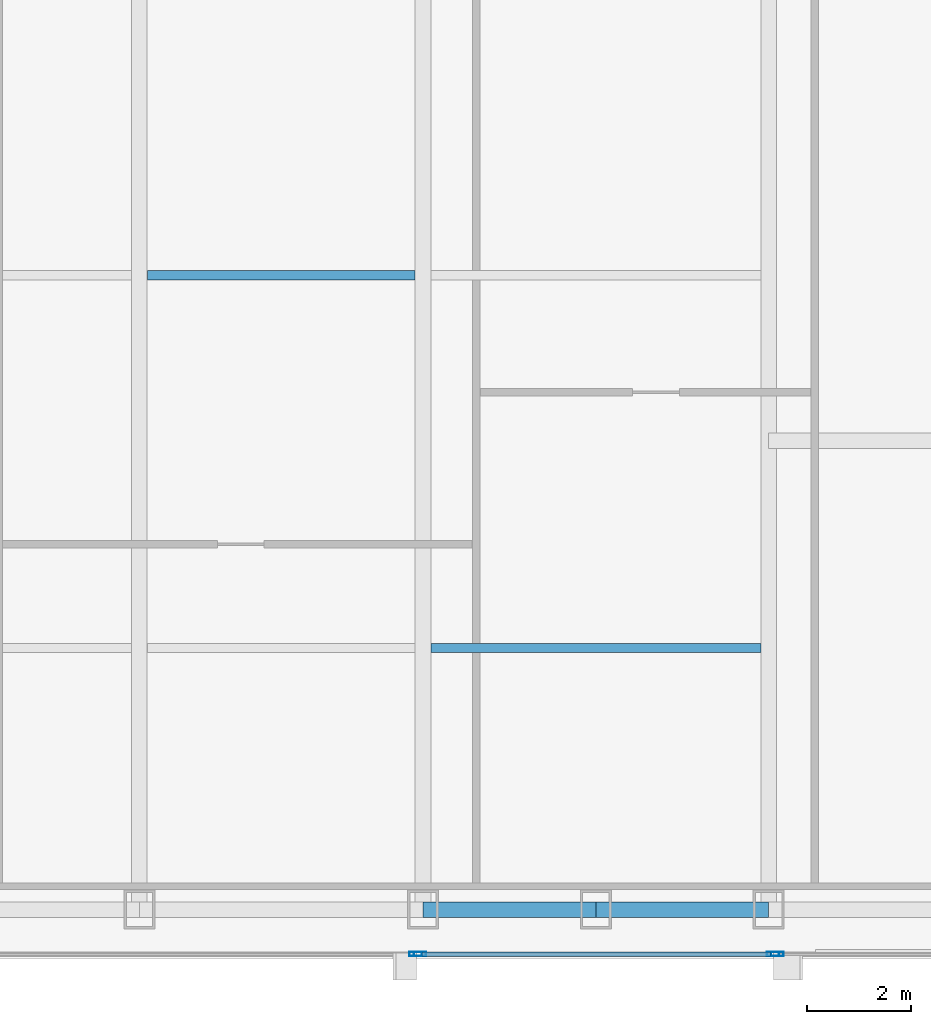
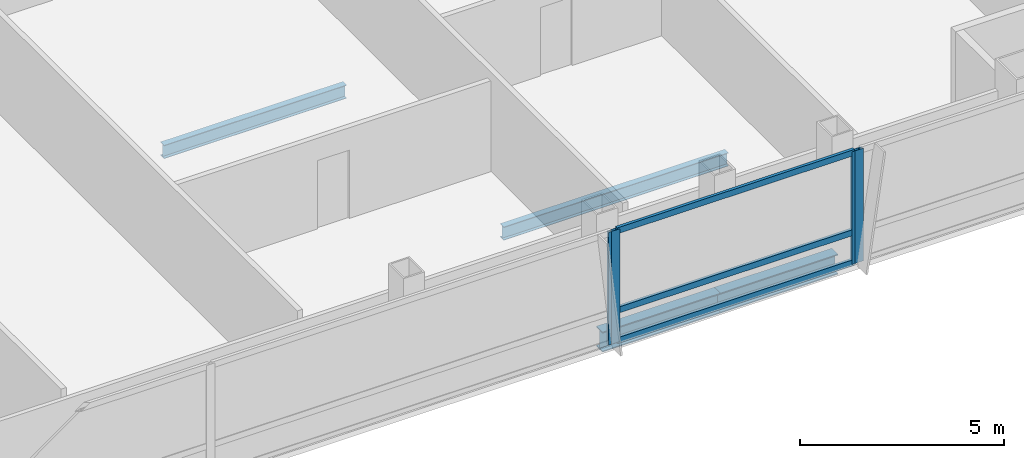
# One storey, part 14 of 30: 7 members, 4 beams, 3 elements without a shape of their own.
"""IFC4 building model written with IfcOpenShell, lengths in metres."""

from ifc_helpers import new_model, si_unit, direction, frame, origin, origin_2d, place, context, subcontext, project, spatial, hollow_rectangle, i_section, extrude, material, material_profile, profile_set, type_object, element, aggregate, save


model = new_model("IFC4")

# Units and contexts
model_context = context("Model", 3, precision=1e-05, world=origin(), true_north=direction((0.0, 1.0)))
body_context = subcontext(model_context, "Body", "Model", "MODEL_VIEW")
ifc_project = project(units=[si_unit("LENGTHUNIT", "METRE"), si_unit("AREAUNIT", "SQUARE_METRE"), si_unit("VOLUMEUNIT", "CUBIC_METRE"), si_unit("PLANEANGLEUNIT", "RADIAN"), si_unit("MASSUNIT", "GRAM", prefix="KILO")], contexts=[model_context])

# Site, building, storey
site_placement = place(None, origin())
site = spatial("IfcSite", under=ifc_project, at=site_placement, CompositionType="ELEMENT")
building_placement = place(site_placement, origin())
building = spatial("IfcBuilding", under=site, at=building_placement, Name="Khoronbel Lancet Exchange", CompositionType="ELEMENT")
storey_placement = place(building_placement, frame((0.0, 0.0, 253.39990234375)))
storey = spatial("IfcBuildingStorey", under=building, at=storey_placement, Name="L65", CompositionType="ELEMENT", Elevation=253.39990234375)

# Beams
ifc_material_1 = material(Name="Steel S355", Category="steel")
ifc_material_profile_1 = material_profile(ifc_material_1, i_section(OverallWidth=0.179931640625, OverallDepth=0.39990234375, WebThickness=0.008544921875, FlangeThickness=0.013427734375, at=origin_2d()), Name="IPE 400")
ifc_profile_set_1 = profile_set([ifc_material_profile_1], Name="Steel S355")
beam_type_1 = type_object("IfcBeamType", Name="BM-BJ5", PredefinedType="JOIST", material=ifc_profile_set_1)
beam_1_placement = place(storey_placement, frame((48.14990234375, 15.199951171875, -0.35986328125), z_axis=(1.0, 0.0, 0.0), x_axis=(0.0, 1.0, 0.0)))
element("IfcBeam", 1, at=beam_1_placement, inside=storey, type_object=beam_type_1, Name="Level L65 secondary composite joist J05", PredefinedType="JOIST", context=body_context, shape_type="SweptSolid", body=[
    extrude(i_section(OverallWidth=0.179931640625, OverallDepth=0.39990234375, WebThickness=0.008544921875, FlangeThickness=0.013427734375, at=origin_2d()), origin(), (0.0, 0.0, 1.0), 6.375),
])
beam_2_placement = place(storey_placement, frame((42.675048828125, 22.39990234375, -0.35986328125), z_axis=(1.0, 0.0, 0.0), x_axis=(0.0, 1.0, 0.0)))
element("IfcBeam", 2, at=beam_2_placement, inside=storey, type_object=beam_type_1, Name="Level L65 secondary composite joist J09", PredefinedType="JOIST", context=body_context, shape_type="SweptSolid", body=[
    extrude(i_section(OverallWidth=0.179931640625, OverallDepth=0.39990234375, WebThickness=0.008544921875, FlangeThickness=0.013427734375, at=origin_2d()), origin(), (0.0, 0.0, 1.0), 5.175048828125),
])
ifc_material_profile_2 = material_profile(ifc_material_1, i_section(OverallWidth=0.300048828125, OverallDepth=0.60009765625, WebThickness=0.015380859375, FlangeThickness=0.030029296875, at=origin_2d()), Name="HEB 600")
ifc_profile_set_2 = profile_set([ifc_material_profile_2], Name="Steel S355")
beam_type_2 = type_object("IfcBeamType", Name="BM-BSP2", PredefinedType="SPANDREL", material=ifc_profile_set_2)
beam_3_placement = place(storey_placement, frame((48.0, 10.14990234375, -0.4599609375), z_axis=(1.0, 0.0, 0.0), x_axis=(0.0, 1.0, 0.0)))
element("IfcBeam", 3, at=beam_3_placement, inside=storey, type_object=beam_type_2, Name="Level L65 perimeter spandrel beam SP07", PredefinedType="SPANDREL", context=body_context, shape_type="SweptSolid", body=[
    extrude(i_section(OverallWidth=0.300048828125, OverallDepth=0.60009765625, WebThickness=0.015380859375, FlangeThickness=0.030029296875, at=origin_2d()), origin(), (0.0, 0.0, 1.0), 3.33740234375),
])
beam_4_placement = place(storey_placement, frame((51.33740234375, 10.14990234375, -0.4599609375), z_axis=(1.0, 0.0, 0.0), x_axis=(0.0, 1.0, 0.0)))
element("IfcBeam", 4, at=beam_4_placement, inside=storey, type_object=beam_type_2, Name="Level L65 perimeter spandrel beam SP08", PredefinedType="SPANDREL", context=body_context, shape_type="SweptSolid", body=[
    extrude(i_section(OverallWidth=0.300048828125, OverallDepth=0.60009765625, WebThickness=0.015380859375, FlangeThickness=0.030029296875, at=origin_2d()), origin(), (0.0, 0.0, 1.0), 3.337646484375),
])

# Curtain wall, member
ifc_material_2 = material(Name="Low-E Solar Control Insulating Glass", Category="glass")
curtain_wall_type = type_object("IfcCurtainWallType", Name="CW-3", PredefinedType="NOTDEFINED", material=ifc_material_2)
curtain_wall_1_placement = place(storey_placement, origin())
curtain_wall_1 = element("IfcCurtainWall", 5, at=curtain_wall_1_placement, inside=storey, type_object=curtain_wall_type, Name="Unitised curtain wall CW-L65-SCV", PredefinedType="NOTDEFINED")
ifc_material_3 = material(Name="Bronze-Anodised Aluminium 6063-T6", Category="aluminium")
ifc_material_profile_3 = material_profile(ifc_material_3, hollow_rectangle(XDim=0.0849609375, YDim=0.239990234375, WallThickness=0.006103515625, at=origin_2d()), Name="ALU MULLION 85x240")
ifc_profile_set_3 = profile_set([ifc_material_profile_3], Name="Bronze-Anodised Aluminium 6063-T6")
member_type_1 = type_object("IfcMemberType", Name="MEM-CWM1", PredefinedType="MULLION", material=ifc_profile_set_3)
member_1_placement = place(storey_placement, frame((47.857421875, 9.2900390625, 0.0), z_axis=(0.0, 0.0, 1.0), x_axis=(0.0, 1.0, 0.0)))
member_1 = element("IfcMember", 6, at=member_1_placement, type_object=member_type_1, Name="CW3 mullion 3", PredefinedType="MULLION", context=body_context, shape_type="SweptSolid", body=[
    extrude(hollow_rectangle(XDim=0.0849609375, YDim=0.239990234375, WallThickness=0.006103515625, at=origin_2d()), origin(), (0.0, 0.0, 1.0), 3.380126953125),
])
aggregate(curtain_wall_1, [member_1])

# Curtain wall, members
curtain_wall_2_placement = place(storey_placement, origin())
curtain_wall_2 = element("IfcCurtainWall", 7, at=curtain_wall_2_placement, inside=storey, type_object=curtain_wall_type, Name="Unitised curtain wall CW-L65-SEB", PredefinedType="NOTDEFINED")
member_2_placement = place(storey_placement, frame((47.9423828125, 9.2900390625, 0.0), z_axis=(0.0, 0.0, 1.0), x_axis=(0.0, 1.0, 0.0)))
member_2 = element("IfcMember", 8, at=member_2_placement, type_object=member_type_1, Name="CW3 mullion 1", PredefinedType="MULLION", context=body_context, shape_type="SweptSolid", body=[
    extrude(hollow_rectangle(XDim=0.0849609375, YDim=0.239990234375, WallThickness=0.006103515625, at=origin_2d()), origin(), (0.0, 0.0, 1.0), 3.380126953125),
])
member_3_placement = place(storey_placement, frame((54.757568359375, 9.2900390625, 0.0), z_axis=(0.0, 0.0, 1.0), x_axis=(0.0, 1.0, 0.0)))
member_3 = element("IfcMember", 9, at=member_3_placement, type_object=member_type_1, Name="CW3 mullion 2", PredefinedType="MULLION", context=body_context, shape_type="SweptSolid", body=[
    extrude(hollow_rectangle(XDim=0.0849609375, YDim=0.239990234375, WallThickness=0.006103515625, at=origin_2d()), origin(), (0.0, 0.0, 1.0), 3.380126953125),
])

# Curtain wall, member
curtain_wall_3_placement = place(storey_placement, origin())
curtain_wall_3 = element("IfcCurtainWall", 10, at=curtain_wall_3_placement, inside=storey, type_object=curtain_wall_type, Name="Unitised curtain wall CW-L65-SEV", PredefinedType="NOTDEFINED")
member_4_placement = place(storey_placement, frame((54.842529296875, 9.2900390625, 0.0), z_axis=(0.0, 0.0, 1.0), x_axis=(0.0, 1.0, 0.0)))
member_4 = element("IfcMember", 11, at=member_4_placement, type_object=member_type_1, Name="CW3 mullion 1", PredefinedType="MULLION", context=body_context, shape_type="SweptSolid", body=[
    extrude(hollow_rectangle(XDim=0.0849609375, YDim=0.239990234375, WallThickness=0.006103515625, at=origin_2d()), origin(), (0.0, 0.0, 1.0), 3.380126953125),
])
aggregate(curtain_wall_3, [member_4])

# Member
ifc_material_profile_4 = material_profile(ifc_material_3, hollow_rectangle(XDim=0.0849609375, YDim=0.179931640625, WallThickness=0.0048828125, at=origin_2d()), Name="ALU TRANSOM 85x180")
ifc_profile_set_4 = profile_set([ifc_material_profile_4], Name="Bronze-Anodised Aluminium 6063-T6")
member_type_2 = type_object("IfcMemberType", Name="MEM-CWT1", PredefinedType="USERDEFINED", material=ifc_profile_set_4)
member_5_placement = place(storey_placement, frame((47.985107421875, 9.2900390625, 0.04248046875), z_axis=(1.0, 0.0, 0.0), x_axis=(0.0, 1.0, 0.0)))
member_5 = element("IfcMember", 12, at=member_5_placement, type_object=member_type_2, Name="CW3 transom 1.1", ObjectType="TRANSOM", PredefinedType="USERDEFINED", context=body_context, shape_type="SweptSolid", body=[
    extrude(hollow_rectangle(XDim=0.0849609375, YDim=0.179931640625, WallThickness=0.0048828125, at=origin_2d()), origin(), (0.0, 0.0, 1.0), 6.72998046875),
])

member_6_placement = place(storey_placement, frame((47.985107421875, 9.2900390625, 0.9501953125), z_axis=(1.0, 0.0, 0.0), x_axis=(0.0, 1.0, 0.0)))
member_6 = element("IfcMember", 13, at=member_6_placement, type_object=member_type_2, Name="CW3 transom 1.2", ObjectType="TRANSOM", PredefinedType="USERDEFINED", context=body_context, shape_type="SweptSolid", body=[
    extrude(hollow_rectangle(XDim=0.0849609375, YDim=0.179931640625, WallThickness=0.0048828125, at=origin_2d()), origin(), (0.0, 0.0, 1.0), 6.72998046875),
])

member_7_placement = place(storey_placement, frame((47.985107421875, 9.2900390625, 3.337646484375), z_axis=(1.0, 0.0, 0.0), x_axis=(0.0, 1.0, 0.0)))
member_7 = element("IfcMember", 14, at=member_7_placement, type_object=member_type_2, Name="CW3 transom 1.3", ObjectType="TRANSOM", PredefinedType="USERDEFINED", context=body_context, shape_type="SweptSolid", body=[
    extrude(hollow_rectangle(XDim=0.0849609375, YDim=0.179931640625, WallThickness=0.0048828125, at=origin_2d()), origin(), (0.0, 0.0, 1.0), 6.72998046875),
])

aggregate(curtain_wall_2, [member_2, member_3, member_5, member_6, member_7])

save(model, "model.ifc")
